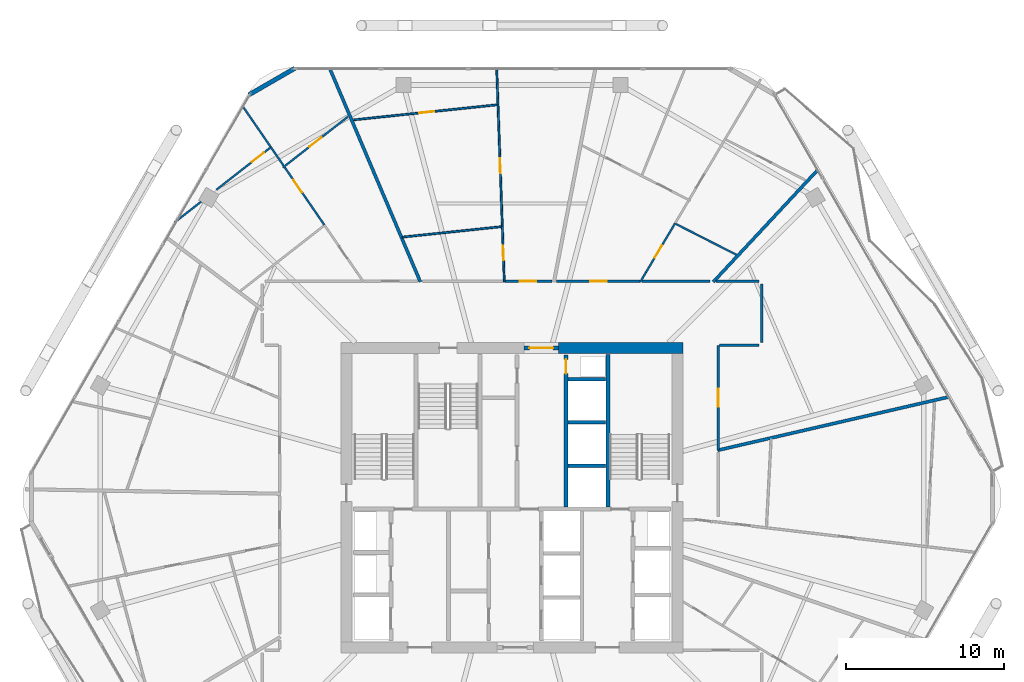
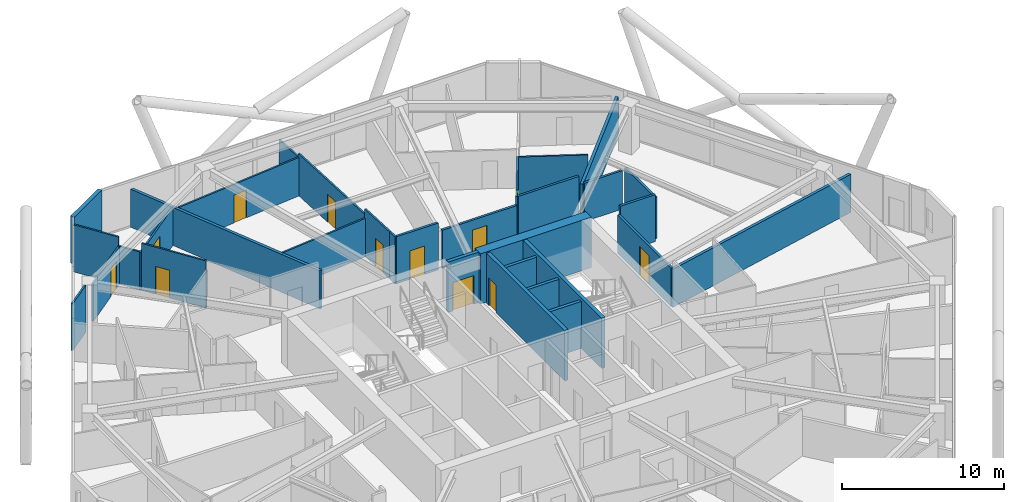
# One storey, part 23 of 27: 33 walls, 12 doors, 12 openings.
"""IFC4 building model written with IfcOpenShell, lengths in metres."""

from ifc_helpers import new_model, si_unit, direction, frame, frame_2d, origin, place, context, subcontext, project, spatial, rectangle, extrude, material, layer, layer_set, type_object, element, fill, save


model = new_model("IFC4")

# Units and contexts
model_context = context("Model", 3, precision=1e-05, world=origin(), true_north=direction((0.0, 1.0)))
body_context = subcontext(model_context, "Body", "Model", "MODEL_VIEW")
ifc_project = project(units=[si_unit("LENGTHUNIT", "METRE"), si_unit("AREAUNIT", "SQUARE_METRE"), si_unit("VOLUMEUNIT", "CUBIC_METRE"), si_unit("PLANEANGLEUNIT", "RADIAN"), si_unit("MASSUNIT", "GRAM", prefix="KILO")], contexts=[model_context])

# Site, building, storey
site_placement = place(None, origin())
site = spatial("IfcSite", under=ifc_project, at=site_placement, CompositionType="ELEMENT")
building_placement = place(site_placement, origin())
building = spatial("IfcBuilding", under=site, at=building_placement, Name="Zuhravey Tower", CompositionType="ELEMENT")
storey_placement = place(building_placement, frame((0.0, 0.0, 215.0)))
storey = spatial("IfcBuildingStorey", under=building, at=storey_placement, Name="L54", CompositionType="ELEMENT", Elevation=215.0)

# Wall
ifc_material_1 = material(Name="Concrete C60/75", Category="concrete")
ifc_layer_1 = layer(ifc_material_1, 0.699951171875)
ifc_layer_set_1 = layer_set([ifc_layer_1], Name="Concrete C60/75")
wall_type_1 = type_object("IfcWallType", Name="Core Shear Wall 700", PredefinedType="SHEAR", material=ifc_layer_set_1)
wall_1_placement = place(storey_placement, frame((46.85009765625, 41.5, 0.0), z_axis=(0.0, 0.0, 1.0), x_axis=(-1.0, 0.0, 0.0)))
element("IfcWall", 1, at=wall_1_placement, inside=storey, type_object=wall_type_1, Name="L54 North-East Core Shear Wall CW70", PredefinedType="SHEAR", context=body_context, shape_type="SweptSolid", body=[
    extrude(rectangle(XDim=7.900146484375, YDim=0.699951171875, at=frame_2d((3.9501953125, 0.0))), origin(), (0.0, 0.0, 1.0), 3.800048828125),
])

# Wall, opening, door
ifc_material_2 = material(Name="Gypsum fire-rated stud partition")
ifc_layer_2 = layer(ifc_material_2, 0.159912109375)
ifc_layer_set_2 = layer_set([ifc_layer_2], Name="Gypsum fire-rated stud partition")
wall_type_2 = type_object("IfcWallType", Name="Corridor Fire Partition 160", PredefinedType="PARTITIONING", material=ifc_layer_set_2)
wall_2_placement = place(storey_placement, frame((44.135498046875, 45.72998046875, 0.0), z_axis=(0.0, 0.0, 1.0), x_axis=(-1.0, 0.0, 0.0)))
wall_2 = element("IfcWall", 2, at=wall_2_placement, inside=storey, type_object=wall_type_2, Name="L54 IW16 Partition 025", PredefinedType="PARTITIONING", context=body_context, shape_type="SweptSolid", body=[
    extrude(rectangle(XDim=5.32177734375, YDim=0.159912109375, at=frame_2d((2.660888671875, 0.0))), origin(), (0.0, 0.0, 1.0), 2.89990234375),
])
opening_1_placement = place(wall_2_placement, frame((2.135986328125, 0.0, 0.0)))
opening_1 = element("IfcOpeningElement", 3, at=opening_1_placement, cuts=wall_2, Name="Opening APD1", PredefinedType="OPENING", context=body_context, shape_type="SweptSolid", body=[
    extrude(rectangle(XDim=1.050048828125, YDim=2.14990234375, at=frame_2d((0.52490234375, 1.074951171875))), frame((0.0, 0.092041015625, 0.0), z_axis=(0.0, -1.0, 0.0), x_axis=(1.0, 0.0, 0.0)), (0.0, 0.0, 1.0), 0.183837890625),
])
ifc_material_3 = material(Name="Solid-core oak fire-rated leaf")
door_type_1 = type_object("IfcDoorType", Name="Apartment Entrance Fire Door 1050x2150", OperationType="NOTDEFINED", PredefinedType="DOOR", material=ifc_material_3)
door_1_placement = place(opening_1_placement, frame((1.050048828125, 0.0, 0.0), z_axis=(0.0, 0.0, 1.0), x_axis=(-1.0, 0.0, 0.0)))
door_1 = element("IfcDoor", 4, at=door_1_placement, inside=storey, type_object=door_type_1, Name="L54 Door 025.1", OperationType="SINGLE_SWING_RIGHT", OverallHeight=2.14990234375, OverallWidth=1.050048828125, PredefinedType="DOOR", context=body_context, shape_type="SweptSolid", body=[
    extrude(rectangle(XDim=1.050048828125, YDim=2.14990234375, at=frame_2d((0.52490234375, 1.074951171875))), frame((0.0, 0.02490234375, 0.0), z_axis=(0.0, -1.0, 0.0), x_axis=(1.0, 0.0, 0.0)), (0.0, 0.0, 1.0), 0.050048828125),
])
fill(opening_1, door_1)

wall_3_placement = place(storey_placement, frame((38.5244140625, 45.72998046875, 0.0), z_axis=(0.0, 0.0, 1.0), x_axis=(-1.0, 0.0, 0.0)))
wall_3 = element("IfcWall", 5, at=wall_3_placement, inside=storey, type_object=wall_type_2, Name="L54 IW16 Partition 029", PredefinedType="PARTITIONING", context=body_context, shape_type="SweptSolid", body=[
    extrude(rectangle(XDim=2.993408203125, YDim=0.159912109375, at=frame_2d((1.49658203125, 0.0))), origin(), (0.0, 0.0, 1.0), 3.550048828125),
])
opening_2_placement = place(wall_3_placement, frame((0.9716796875, 0.0, 0.0)))
opening_2 = element("IfcOpeningElement", 6, at=opening_2_placement, cuts=wall_3, Name="Opening APD1", PredefinedType="OPENING", context=body_context, shape_type="SweptSolid", body=[
    extrude(rectangle(XDim=1.050048828125, YDim=2.14990234375, at=frame_2d((0.52490234375, 1.074951171875))), frame((0.0, 0.092041015625, 0.0), z_axis=(0.0, -1.0, 0.0), x_axis=(1.0, 0.0, 0.0)), (0.0, 0.0, 1.0), 0.183837890625),
])
door_2_placement = place(opening_2_placement, frame((1.050048828125, 0.0, 0.0), z_axis=(0.0, 0.0, 1.0), x_axis=(-1.0, 0.0, 0.0)))
door_2 = element("IfcDoor", 7, at=door_2_placement, inside=storey, type_object=door_type_1, Name="L54 Door 029.1", OperationType="SINGLE_SWING_RIGHT", OverallHeight=2.14990234375, OverallWidth=1.050048828125, PredefinedType="DOOR", context=body_context, shape_type="SweptSolid", body=[
    extrude(rectangle(XDim=1.050048828125, YDim=2.14990234375, at=frame_2d((0.52490234375, 1.074951171875))), frame((0.0, 0.02490234375, 0.0), z_axis=(0.0, -1.0, 0.0), x_axis=(1.0, 0.0, 0.0)), (0.0, 0.0, 1.0), 0.050048828125),
])
fill(opening_2, door_2)

wall_4_placement = place(storey_placement, frame((49.080078125, 35.040283203125, 0.0), z_axis=(0.0, 0.0, 1.0), x_axis=(0.0, 1.0, 0.0)))
wall_4 = element("IfcWall", 8, at=wall_4_placement, inside=storey, type_object=wall_type_2, Name="L54 IW16 Partition 069", PredefinedType="PARTITIONING", context=body_context, shape_type="SweptSolid", body=[
    extrude(rectangle(XDim=6.629638671875, YDim=0.159912109375, at=frame_2d((3.31494140625, 0.0))), origin(), (0.0, 0.0, 1.0), 2.89990234375),
])
opening_3_placement = place(wall_4_placement, frame((2.73974609375, 0.0, 0.0)))
opening_3 = element("IfcOpeningElement", 9, at=opening_3_placement, cuts=wall_4, Name="Opening CLD1", PredefinedType="OPENING", context=body_context, shape_type="SweptSolid", body=[
    extrude(rectangle(XDim=1.14990234375, YDim=2.199951171875, at=frame_2d((0.574951171875, 1.10009765625))), frame((0.0, 0.092041015625, 0.0), z_axis=(0.0, -1.0, 0.0), x_axis=(1.0, 0.0, 0.0)), (0.0, 0.0, 1.0), 0.183837890625),
])
ifc_material_4 = material(Name="Acoustic timber leaf with vision lite", Category="wood")
door_type_2 = type_object("IfcDoorType", Name="Classroom Acoustic Door 1150x2200", OperationType="NOTDEFINED", PredefinedType="DOOR", material=ifc_material_4)
door_3_placement = place(opening_3_placement, frame((1.14990234375, 0.0, 0.0), z_axis=(0.0, 0.0, 1.0), x_axis=(-1.0, 0.0, 0.0)))
door_3 = element("IfcDoor", 10, at=door_3_placement, inside=storey, type_object=door_type_2, Name="L54 Door 069.1", OperationType="SINGLE_SWING_RIGHT", OverallHeight=2.199951171875, OverallWidth=1.14990234375, PredefinedType="DOOR", context=body_context, shape_type="SweptSolid", body=[
    extrude(rectangle(XDim=1.14990234375, YDim=2.199951171875, at=frame_2d((0.574951171875, 1.10009765625))), frame((0.0, 0.02490234375, 0.0), z_axis=(0.0, -1.0, 0.0), x_axis=(1.0, 0.0, 0.0)), (0.0, 0.0, 1.0), 0.050048828125),
])
fill(opening_3, door_3)

# Walls
wall_5_placement = place(storey_placement, frame((48.55419921875, 45.72998046875, 0.0), z_axis=(0.0, 0.0, 1.0), x_axis=(-1.0, 0.0, 0.0)))
element("IfcWall", 11, at=wall_5_placement, inside=storey, type_object=wall_type_2, Name="L54 IW16 Partition 122", PredefinedType="PARTITIONING", context=body_context, shape_type="SweptSolid", body=[
    extrude(rectangle(XDim=4.31640625, YDim=0.159912109375, at=frame_2d((2.158203125, 0.0))), origin(), (0.0, 0.0, 1.0), 3.550048828125),
])
wall_6_placement = place(storey_placement, frame((51.830078125, 41.85009765625, 0.0), z_axis=(0.0, 0.0, 1.0), x_axis=(0.0, 1.0, 0.0)))
element("IfcWall", 12, at=wall_6_placement, inside=storey, type_object=wall_type_2, Name="L54 IW16 Partition 140", PredefinedType="PARTITIONING", context=body_context, shape_type="SweptSolid", body=[
    extrude(rectangle(XDim=3.699951171875, YDim=0.159912109375, at=frame_2d((1.85009765625, 0.0))), origin(), (0.0, 0.0, 1.0), 3.14990234375),
])
wall_7_placement = place(storey_placement, frame((51.64990234375, 45.72998046875, 0.0), z_axis=(0.0, 0.0, 1.0), x_axis=(-1.0, 0.0, 0.0)))
element("IfcWall", 13, at=wall_7_placement, inside=storey, type_object=wall_type_2, Name="L54 IW16 Partition 141", PredefinedType="PARTITIONING", context=body_context, shape_type="SweptSolid", body=[
    extrude(rectangle(XDim=2.69873046875, YDim=0.159912109375, at=frame_2d((1.349365234375, 0.0))), origin(), (0.0, 0.0, 1.0), 2.89990234375),
])
wall_8_placement = place(storey_placement, frame((49.16796875, 41.669921875, 0.0), z_axis=(0.0, 0.0, 1.0), x_axis=(1.0, 0.0, 0.0)))
element("IfcWall", 14, at=wall_8_placement, inside=storey, type_object=wall_type_2, Name="L54 IW16 Partition 142", PredefinedType="PARTITIONING", context=body_context, shape_type="SweptSolid", body=[
    extrude(rectangle(XDim=2.48193359375, YDim=0.159912109375, at=frame_2d((1.240966796875, 0.0))), origin(), (0.0, 0.0, 1.0), 3.550048828125),
])
ifc_material_5 = material(Name="Precast concrete C40/50", Category="concrete")
ifc_layer_3 = layer(ifc_material_5, 0.280029296875)
ifc_layer_set_3 = layer_set([ifc_layer_3], Name="Precast concrete C40/50")
wall_type_3 = type_object("IfcWallType", Name="Crown Architectural Wall 280", PredefinedType="SOLIDWALL", material=ifc_layer_set_3)
wall_9_placement = place(storey_placement, frame((19.306884765625, 57.548095703125, 0.0), z_axis=(0.0, 0.0, 1.0), x_axis=(0.866020068361, 0.500009241111, 0.0)))
element("IfcWall", 15, at=wall_9_placement, inside=storey, type_object=wall_type_3, Name="L54 Rounded Corner Closure Wall EW28-08", PredefinedType="SOLIDWALL", context=body_context, shape_type="SweptSolid", body=[
    extrude(rectangle(XDim=3.365234375, YDim=0.280029296875, at=frame_2d((1.6826171875, 0.0))), origin(), (0.0, 0.0, 1.0), 3.550048828125),
])

# Wall, opening, door
ifc_material_6 = material(Name="Concrete C50/60", Category="concrete")
ifc_layer_4 = layer(ifc_material_6, 0.25)
ifc_layer_set_4 = layer_set([ifc_layer_4], Name="Concrete C50/60")
wall_type_4 = type_object("IfcWallType", Name="Firefighting Shaft & Stair Wall 250", PredefinedType="SOLIDWALL", material=ifc_layer_set_4)
wall_10_placement = place(storey_placement, frame((36.760009765625, 41.5, 0.0), z_axis=(0.0, 0.0, 1.0), x_axis=(1.0, 0.0, 0.0)))
wall_10 = element("IfcWall", 16, at=wall_10_placement, inside=storey, type_object=wall_type_4, Name="L54 FW25 Shaft Wall 002", PredefinedType="SOLIDWALL", context=body_context, shape_type="SweptSolid", body=[
    extrude(rectangle(XDim=2.179931640625, YDim=0.25, at=frame_2d((1.08984375, 0.0))), origin(), (0.0, 0.0, 1.0), 3.800048828125),
])
opening_4_placement = place(wall_10_placement, frame((0.340087890625, 0.0, 0.0)))
opening_4 = element("IfcOpeningElement", 17, at=opening_4_placement, cuts=wall_10, Name="Opening FFD1", PredefinedType="OPENING", context=body_context, shape_type="SweptSolid", body=[
    extrude(rectangle(XDim=1.5, YDim=2.14990234375, at=frame_2d((0.75, 1.074951171875))), frame((0.0, 0.136962890625, 0.0), z_axis=(0.0, -1.0, 0.0), x_axis=(1.0, 0.0, 0.0)), (0.0, 0.0, 1.0), 0.27392578125),
])
ifc_material_7 = material(Name="Galvanised fire-rated steel leaf", Category="steel")
door_type_3 = type_object("IfcDoorType", Name="Firefighting Lobby Double Door 1500x2150", OperationType="DOUBLE_DOOR_SINGLE_SWING", PredefinedType="DOOR", material=ifc_material_7)
door_4_placement = place(opening_4_placement, origin())
door_4 = element("IfcDoor", 18, at=door_4_placement, inside=storey, type_object=door_type_3, Name="L54 North Lift Lobby Exit Door", OperationType="DOUBLE_DOOR_SINGLE_SWING", OverallHeight=2.14990234375, OverallWidth=1.5, PredefinedType="DOOR", context=body_context, shape_type="SweptSolid", body=[
    extrude(rectangle(XDim=1.5, YDim=2.14990234375, at=frame_2d((0.75, 1.074951171875))), frame((0.0, 0.02490234375, 0.0), z_axis=(0.0, -1.0, 0.0), x_axis=(1.0, 0.0, 0.0)), (0.0, 0.0, 1.0), 0.050048828125),
])
fill(opening_4, door_4)

# Wall
wall_11_placement = place(storey_placement, frame((42.074951171875, 31.39990234375, 0.0), z_axis=(0.0, 0.0, 1.0), x_axis=(0.0, 1.0, 0.0)))
element("IfcWall", 19, at=wall_11_placement, inside=storey, type_object=wall_type_4, Name="L54 FW25 Shaft Wall 006", PredefinedType="SOLIDWALL", context=body_context, shape_type="SweptSolid", body=[
    extrude(rectangle(XDim=9.7001953125, YDim=0.25, at=frame_2d((4.85009765625, 0.0))), origin(), (0.0, 0.0, 1.0), 3.800048828125),
])

# Wall, opening, door
wall_12_placement = place(storey_placement, frame((39.425048828125, 31.39990234375, 0.0), z_axis=(0.0, 0.0, 1.0), x_axis=(0.0, 1.0, 0.0)))
wall_12 = element("IfcWall", 20, at=wall_12_placement, inside=storey, type_object=wall_type_4, Name="L54 FW25 Shaft Wall 008", PredefinedType="SOLIDWALL", context=body_context, shape_type="SweptSolid", body=[
    extrude(rectangle(XDim=9.650146484375, YDim=0.25, at=frame_2d((4.8251953125, 0.0))), origin(), (0.0, 0.0, 1.0), 3.800048828125),
])
opening_5_placement = place(wall_12_placement, frame((8.469970703125, 0.0, 0.0)))
opening_5 = element("IfcOpeningElement", 21, at=opening_5_placement, cuts=wall_12, Name="Opening RSD1", PredefinedType="OPENING", context=body_context, shape_type="SweptSolid", body=[
    extrude(rectangle(XDim=0.89990234375, YDim=2.10009765625, at=frame_2d((0.449951171875, 1.050048828125))), frame((0.0, 0.136962890625, 0.0), z_axis=(0.0, -1.0, 0.0), x_axis=(1.0, 0.0, 0.0)), (0.0, 0.0, 1.0), 0.27392578125),
])
ifc_material_8 = material(Name="Galvanised fire-rated steel access leaf", Category="steel")
door_type_4 = type_object("IfcDoorType", Name="Riser & Shaft Access Fire Door 900x2100", OperationType="NOTDEFINED", PredefinedType="DOOR", material=ifc_material_8)
door_5_placement = place(opening_5_placement, origin())
door_5 = element("IfcDoor", 22, at=door_5_placement, inside=storey, type_object=door_type_4, Name="L54 North Riser Door", OperationType="SINGLE_SWING_LEFT", OverallHeight=2.10009765625, OverallWidth=0.89990234375, PredefinedType="DOOR", context=body_context, shape_type="SweptSolid", body=[
    extrude(rectangle(XDim=0.89990234375, YDim=2.10009765625, at=frame_2d((0.449951171875, 1.050048828125))), frame((0.0, 0.02490234375, 0.0), z_axis=(0.0, -1.0, 0.0), x_axis=(1.0, 0.0, 0.0)), (0.0, 0.0, 1.0), 0.050048828125),
])
fill(opening_5, door_5)

# Walls
ifc_material_9 = material(Name="Gypsum double-stud party assembly")
ifc_layer_5 = layer(ifc_material_9, 0.199951171875)
ifc_layer_set_5 = layer_set([ifc_layer_5], Name="Gypsum double-stud party assembly")
wall_type_5 = type_object("IfcWallType", Name="Inter-Tenancy Party Wall 200", PredefinedType="PARTITIONING", material=ifc_layer_set_5)
wall_13_placement = place(storey_placement, frame((48.76611328125, 45.68994140625, 0.0), z_axis=(0.0, 0.0, 1.0), x_axis=(0.682001842328, 0.731350454338, 0.0)))
element("IfcWall", 23, at=wall_13_placement, inside=storey, type_object=wall_type_5, Name="L54 IW20 Partition 076", PredefinedType="PARTITIONING", context=body_context, shape_type="SweptSolid", body=[
    extrude(rectangle(XDim=9.70654296875, YDim=0.199951171875, at=frame_2d((4.853271484375, 0.0))), origin(), (0.0, 0.0, 1.0), 2.8701171875),
])
wall_14_placement = place(storey_placement, frame((30.18896484375, 45.68994140625, 0.0), z_axis=(0.0, 0.0, 1.0), x_axis=(-0.390732904656, 0.920504099512, 0.0)))
element("IfcWall", 24, at=wall_14_placement, inside=storey, type_object=wall_type_5, Name="L54 IW20 Partition 085", PredefinedType="PARTITIONING", context=body_context, shape_type="SweptSolid", body=[
    extrude(rectangle(XDim=14.658447265625, YDim=0.199951171875, at=frame_2d((7.3291015625, 0.0))), origin(), (0.0, 0.0, 1.0), 2.8701171875),
])
wall_15_placement = place(storey_placement, frame((49.0400390625, 35.010498046875, 0.0), z_axis=(0.0, 0.0, 1.0), x_axis=(0.974369033518, 0.224955521206, 0.0)))
element("IfcWall", 25, at=wall_15_placement, inside=storey, type_object=wall_type_5, Name="L54 IW20 Partition 121", PredefinedType="PARTITIONING", context=body_context, shape_type="SweptSolid", body=[
    extrude(rectangle(XDim=15.0419921875, YDim=0.199951171875, at=frame_2d((7.52099609375, 0.0))), origin(), (0.0, 0.0, 1.0), 2.8701171875),
])
ifc_material_10 = material(Name="Gypsum acoustic stud assembly")
ifc_layer_6 = layer(ifc_material_10, 0.219970703125)
ifc_layer_set_6 = layer_set([ifc_layer_6], Name="Gypsum acoustic stud assembly")
wall_type_6 = type_object("IfcWallType", Name="School Acoustic Compartment Wall 220", PredefinedType="PARTITIONING", material=ifc_layer_set_6)
for number, where, z_axis, x_axis, name in (
    (26, (39.55810546875, 34.02490234375, 0.0), (0.0, 0.0, 1.0), (1.0, 0.0, 0.0), "L54 IW22 Partition 071"),
    (27, (39.55810546875, 36.77490234375, 0.0), (0.0, 0.0, 1.0), (1.0, 0.0, 0.0), "L54 IW22 Partition 072"),
    (28, (39.55810546875, 39.52490234375, 0.0), (0.0, 0.0, 1.0), (1.0, 0.0, 0.0), "L54 IW22 Partition 073"),
):
    element("IfcWall", number, at=place(storey_placement, frame(where, z_axis=z_axis, x_axis=x_axis)), inside=storey, type_object=wall_type_6, Name=name, PredefinedType="PARTITIONING", context=body_context, shape_type="SweptSolid", body=[
        extrude(rectangle(XDim=2.3837890625, YDim=0.219970703125, at=frame_2d((1.19189453125, 0.0))), origin(), (0.0, 0.0, 1.0), 3.550048828125),
    ])

# Wall, opening, door
ifc_material_11 = material(Name="Gypsum metal-stud partition")
ifc_layer_7 = layer(ifc_material_11, 0.1201171875)
ifc_layer_set_7 = layer_set([ifc_layer_7], Name="Gypsum metal-stud partition")
wall_type_7 = type_object("IfcWallType", Name="Unit Internal Partition 120", PredefinedType="PARTITIONING", material=ifc_layer_set_7)
wall_16_placement = place(storey_placement, frame((44.49755859375, 46.300048828125, 0.0), z_axis=(0.0, 0.0, 1.0), x_axis=(0.510815768273, 0.859690206344, 0.0)))
wall_16 = element("IfcWall", 29, at=wall_16_placement, inside=storey, type_object=wall_type_7, Name="L54 IW12 Partition 021", PredefinedType="PARTITIONING", context=body_context, shape_type="SweptSolid", body=[
    extrude(rectangle(XDim=3.624267578125, YDim=0.1201171875, at=frame_2d((1.81201171875, 0.0))), origin(), (0.0, 0.0, 1.0), 3.550048828125),
])
opening_6_placement = place(wall_16_placement, frame((1.072265625, 0.0, 0.0)))
opening_6 = element("IfcOpeningElement", 30, at=opening_6_placement, cuts=wall_16, Name="Opening WCD1", PredefinedType="OPENING", context=body_context, shape_type="SweptSolid", body=[
    extrude(rectangle(XDim=0.89990234375, YDim=2.10009765625, at=frame_2d((0.449951171875, 1.050048828125))), frame((0.0, 0.072021484375, 0.0), z_axis=(0.0, -1.0, 0.0), x_axis=(1.0, 0.0, 0.0)), (0.0, 0.0, 1.0), 0.14404296875),
])
ifc_material_12 = material(Name="Moisture-resistant timber leaf", Category="wood")
door_type_5 = type_object("IfcDoorType", Name="Bathroom & WC Internal Door 900x2100", OperationType="NOTDEFINED", PredefinedType="DOOR", material=ifc_material_12)
door_6_placement = place(opening_6_placement, frame((0.89990234375, 0.0, 0.0), z_axis=(0.0, 0.0, 1.0), x_axis=(-1.0, 0.0, 0.0)))
door_6 = element("IfcDoor", 31, at=door_6_placement, inside=storey, type_object=door_type_5, Name="Apartment L54-01 Bathroom Door", OperationType="SINGLE_SWING_LEFT", OverallHeight=2.10009765625, OverallWidth=0.89990234375, PredefinedType="DOOR", context=body_context, shape_type="SweptSolid", body=[
    extrude(rectangle(XDim=0.89990234375, YDim=2.10009765625, at=frame_2d((0.449951171875, 1.050048828125))), frame((0.0, 0.02490234375, 0.0), z_axis=(0.0, -1.0, 0.0), x_axis=(1.0, 0.0, 0.0)), (0.0, 0.0, 1.0), 0.050048828125),
])
fill(opening_6, door_6)

wall_17_placement = place(storey_placement, frame((35.490478515625, 46.300048828125, 0.0), z_axis=(0.0, 0.0, 1.0), x_axis=(-0.035486032523, 0.999370172406, 0.0)))
wall_17 = element("IfcWall", 32, at=wall_17_placement, inside=storey, type_object=wall_type_7, Name="L54 IW12 Partition 026", PredefinedType="PARTITIONING", context=body_context, shape_type="SweptSolid", body=[
    extrude(rectangle(XDim=2.924072265625, YDim=0.1201171875, at=frame_2d((1.4619140625, 0.0))), origin(), (0.0, 0.0, 1.0), 3.550048828125),
])
opening_7_placement = place(wall_17_placement, frame((0.778076171875, 0.0, 0.0)))
opening_7 = element("IfcOpeningElement", 33, at=opening_7_placement, cuts=wall_17, Name="Opening WCD1", PredefinedType="OPENING", context=body_context, shape_type="SweptSolid", body=[
    extrude(rectangle(XDim=0.89990234375, YDim=2.10009765625, at=frame_2d((0.449951171875, 1.050048828125))), frame((0.0, 0.072021484375, 0.0), z_axis=(0.0, -1.0, 0.0), x_axis=(1.0, 0.0, 0.0)), (0.0, 0.0, 1.0), 0.14404296875),
])
door_7_placement = place(opening_7_placement, origin())
door_7 = element("IfcDoor", 34, at=door_7_placement, inside=storey, type_object=door_type_5, Name="Apartment L54-02 Bathroom Door", OperationType="SINGLE_SWING_LEFT", OverallHeight=2.10009765625, OverallWidth=0.89990234375, PredefinedType="DOOR", context=body_context, shape_type="SweptSolid", body=[
    extrude(rectangle(XDim=0.89990234375, YDim=2.10009765625, at=frame_2d((0.449951171875, 1.050048828125))), frame((0.0, 0.02490234375, 0.0), z_axis=(0.0, -1.0, 0.0), x_axis=(1.0, 0.0, 0.0)), (0.0, 0.0, 1.0), 0.050048828125),
])
fill(opening_7, door_7)

wall_18_placement = place(storey_placement, frame((35.386474609375, 49.22216796875, 0.0), z_axis=(0.0, 0.0, 1.0), x_axis=(-0.035603715275, 0.999365986743, 0.0)))
wall_18 = element("IfcWall", 35, at=wall_18_placement, inside=storey, type_object=wall_type_7, Name="L54 IW12 Partition 027", PredefinedType="PARTITIONING", context=body_context, shape_type="SweptSolid", body=[
    extrude(rectangle(XDim=7.73486328125, YDim=0.1201171875, at=frame_2d((3.867431640625, 0.0))), origin(), (0.0, 0.0, 1.0), 3.14990234375),
])
opening_8_placement = place(wall_18_placement, frame((3.367431640625, 0.0, 0.0)))
opening_8 = element("IfcOpeningElement", 36, at=opening_8_placement, cuts=wall_18, Name="Opening IND1", PredefinedType="OPENING", context=body_context, shape_type="SweptSolid", body=[
    extrude(rectangle(XDim=0.949951171875, YDim=2.10009765625, at=frame_2d((0.47509765625, 1.050048828125))), frame((0.0, 0.072021484375, 0.0), z_axis=(0.0, -1.0, 0.0), x_axis=(1.0, 0.0, 0.0)), (0.0, 0.0, 1.0), 0.14404296875),
])
ifc_material_13 = material(Name="Painted engineered timber leaf", Category="wood")
door_type_6 = type_object("IfcDoorType", Name="Internal Room & Bedroom Door 950x2100", OperationType="NOTDEFINED", PredefinedType="DOOR", material=ifc_material_13)
door_8_placement = place(opening_8_placement, origin())
door_8 = element("IfcDoor", 37, at=door_8_placement, inside=storey, type_object=door_type_6, Name="Apartment L54-02 Home Office Door", OperationType="SINGLE_SWING_RIGHT", OverallHeight=2.10009765625, OverallWidth=0.949951171875, PredefinedType="DOOR", context=body_context, shape_type="SweptSolid", body=[
    extrude(rectangle(XDim=0.949951171875, YDim=2.10009765625, at=frame_2d((0.47509765625, 1.050048828125))), frame((0.0, 0.02490234375, 0.0), z_axis=(0.0, -1.0, 0.0), x_axis=(1.0, 0.0, 0.0)), (0.0, 0.0, 1.0), 0.050048828125),
])
fill(opening_8, door_8)

wall_19_placement = place(storey_placement, frame((35.044189453125, 56.919921875, 0.0), z_axis=(0.0, 0.0, 1.0), x_axis=(-0.994523900714, -0.104509381914, 0.0)))
wall_19 = element("IfcWall", 38, at=wall_19_placement, inside=storey, type_object=wall_type_7, Name="L54 IW12 Partition 028", PredefinedType="PARTITIONING", context=body_context, shape_type="SweptSolid", body=[
    extrude(rectangle(XDim=9.12939453125, YDim=0.1201171875, at=frame_2d((4.564697265625, 0.0))), origin(), (0.0, 0.0, 1.0), 2.89990234375),
])
opening_9_placement = place(wall_19_placement, frame((4.005615234375, 0.0, 0.0)))
opening_9 = element("IfcOpeningElement", 39, at=opening_9_placement, cuts=wall_19, Name="Opening IND1", PredefinedType="OPENING", context=body_context, shape_type="SweptSolid", body=[
    extrude(rectangle(XDim=0.949951171875, YDim=2.10009765625, at=frame_2d((0.47509765625, 1.050048828125))), frame((0.0, 0.072021484375, 0.0), z_axis=(0.0, -1.0, 0.0), x_axis=(1.0, 0.0, 0.0)), (0.0, 0.0, 1.0), 0.14404296875),
])
door_9_placement = place(opening_9_placement, frame((0.949951171875, 0.0, 0.0), z_axis=(0.0, 0.0, 1.0), x_axis=(-1.0, 0.0, 0.0)))
door_9 = element("IfcDoor", 40, at=door_9_placement, inside=storey, type_object=door_type_6, Name="Apartment L54-02 Bedroom 1 Door", OperationType="SINGLE_SWING_LEFT", OverallHeight=2.10009765625, OverallWidth=0.949951171875, PredefinedType="DOOR", context=body_context, shape_type="SweptSolid", body=[
    extrude(rectangle(XDim=0.949951171875, YDim=2.10009765625, at=frame_2d((0.47509765625, 1.050048828125))), frame((0.0, 0.02490234375, 0.0), z_axis=(0.0, -1.0, 0.0), x_axis=(1.0, 0.0, 0.0)), (0.0, 0.0, 1.0), 0.050048828125),
])
fill(opening_9, door_9)

wall_20_placement = place(storey_placement, frame((25.60009765625, 56.168701171875, 0.0), z_axis=(0.0, 0.0, 1.0), x_axis=(-0.788007411646, -0.615665752816, 0.0)))
wall_20 = element("IfcWall", 41, at=wall_20_placement, inside=storey, type_object=wall_type_7, Name="L54 IW12 Partition 030", PredefinedType="PARTITIONING", context=body_context, shape_type="SweptSolid", body=[
    extrude(rectangle(XDim=5.2373046875, YDim=0.1201171875, at=frame_2d((2.61865234375, 0.0))), origin(), (0.0, 0.0, 1.0), 2.8701171875),
])
opening_10_placement = place(wall_20_placement, frame((2.1435546875, 0.0, 0.0)))
opening_10 = element("IfcOpeningElement", 42, at=opening_10_placement, cuts=wall_20, Name="Opening IND1", PredefinedType="OPENING", context=body_context, shape_type="SweptSolid", body=[
    extrude(rectangle(XDim=0.949951171875, YDim=2.10009765625, at=frame_2d((0.47509765625, 1.050048828125))), frame((0.0, 0.072021484375, 0.0), z_axis=(0.0, -1.0, 0.0), x_axis=(1.0, 0.0, 0.0)), (0.0, 0.0, 1.0), 0.14404296875),
])
door_10_placement = place(opening_10_placement, frame((0.949951171875, 0.0, 0.0), z_axis=(0.0, 0.0, 1.0), x_axis=(-1.0, 0.0, 0.0)))
door_10 = element("IfcDoor", 43, at=door_10_placement, inside=storey, type_object=door_type_6, Name="Apartment L54-03 Family Study Door", OperationType="SINGLE_SWING_LEFT", OverallHeight=2.10009765625, OverallWidth=0.949951171875, PredefinedType="DOOR", context=body_context, shape_type="SweptSolid", body=[
    extrude(rectangle(XDim=0.949951171875, YDim=2.10009765625, at=frame_2d((0.47509765625, 1.050048828125))), frame((0.0, 0.02490234375, 0.0), z_axis=(0.0, -1.0, 0.0), x_axis=(1.0, 0.0, 0.0)), (0.0, 0.0, 1.0), 0.050048828125),
])
fill(opening_10, door_10)

wall_21_placement = place(storey_placement, frame((24.0986328125, 49.303466796875, 0.0), z_axis=(0.0, 0.0, 1.0), x_axis=(-0.566659925213, 0.823951775991, 0.0)))
wall_21 = element("IfcWall", 44, at=wall_21_placement, inside=storey, type_object=wall_type_7, Name="L54 IW12 Partition 032", PredefinedType="PARTITIONING", context=body_context, shape_type="SweptSolid", body=[
    extrude(rectangle(XDim=4.425537109375, YDim=0.1201171875, at=frame_2d((2.212890625, 0.0))), origin(), (0.0, 0.0, 1.0), 3.550048828125),
])
opening_11_placement = place(wall_21_placement, frame((2.50390625, 0.0, 0.0)))
opening_11 = element("IfcOpeningElement", 45, at=opening_11_placement, cuts=wall_21, Name="Opening IND1", PredefinedType="OPENING", context=body_context, shape_type="SweptSolid", body=[
    extrude(rectangle(XDim=0.949951171875, YDim=2.10009765625, at=frame_2d((0.47509765625, 1.050048828125))), frame((0.0, 0.072021484375, 0.0), z_axis=(0.0, -1.0, 0.0), x_axis=(1.0, 0.0, 0.0)), (0.0, 0.0, 1.0), 0.14404296875),
])
door_11_placement = place(opening_11_placement, origin())
door_11 = element("IfcDoor", 46, at=door_11_placement, inside=storey, type_object=door_type_6, Name="Apartment L54-03 Home Office Door", OperationType="SINGLE_SWING_LEFT", OverallHeight=2.10009765625, OverallWidth=0.949951171875, PredefinedType="DOOR", context=body_context, shape_type="SweptSolid", body=[
    extrude(rectangle(XDim=0.949951171875, YDim=2.10009765625, at=frame_2d((0.47509765625, 1.050048828125))), frame((0.0, 0.02490234375, 0.0), z_axis=(0.0, -1.0, 0.0), x_axis=(1.0, 0.0, 0.0)), (0.0, 0.0, 1.0), 0.050048828125),
])
fill(opening_11, door_11)

# Wall
wall_22_placement = place(storey_placement, frame((21.513427734375, 53.062255859375, 0.0), z_axis=(0.0, 0.0, 1.0), x_axis=(-0.566722311628, 0.823908867232, 0.0)))
element("IfcWall", 47, at=wall_22_placement, inside=storey, type_object=wall_type_7, Name="L54 IW12 Partition 033", PredefinedType="PARTITIONING", context=body_context, shape_type="SweptSolid", body=[
    extrude(rectangle(XDim=1.44580078125, YDim=0.1201171875, at=frame_2d((0.722900390625, 0.0))), origin(), (0.0, 0.0, 1.0), 2.8701171875),
])

# Wall, opening, door
wall_23_placement = place(storey_placement, frame((20.654541015625, 54.19091796875, 0.0), z_axis=(0.0, 0.0, 1.0), x_axis=(-0.788021793937, -0.615647344086, 0.0)))
wall_23 = element("IfcWall", 48, at=wall_23_placement, inside=storey, type_object=wall_type_7, Name="L54 IW12 Partition 034", PredefinedType="PARTITIONING", context=body_context, shape_type="SweptSolid", body=[
    extrude(rectangle(XDim=4.30419921875, YDim=0.1201171875, at=frame_2d((2.152099609375, 0.0))), origin(), (0.0, 0.0, 1.0), 2.8701171875),
])
opening_12_placement = place(wall_23_placement, frame((0.492919921875, 0.0, 0.0)))
opening_12 = element("IfcOpeningElement", 49, at=opening_12_placement, cuts=wall_23, Name="Opening IND1", PredefinedType="OPENING", context=body_context, shape_type="SweptSolid", body=[
    extrude(rectangle(XDim=0.949951171875, YDim=2.10009765625, at=frame_2d((0.47509765625, 1.050048828125))), frame((0.0, 0.072021484375, 0.0), z_axis=(0.0, -1.0, 0.0), x_axis=(1.0, 0.0, 0.0)), (0.0, 0.0, 1.0), 0.14404296875),
])
door_12_placement = place(opening_12_placement, frame((0.949951171875, 0.0, 0.0), z_axis=(0.0, 0.0, 1.0), x_axis=(-1.0, 0.0, 0.0)))
door_12 = element("IfcDoor", 50, at=door_12_placement, inside=storey, type_object=door_type_6, Name="Apartment L54-03 Kitchen Door", OperationType="SINGLE_SWING_RIGHT", OverallHeight=2.10009765625, OverallWidth=0.949951171875, PredefinedType="DOOR", context=body_context, shape_type="SweptSolid", body=[
    extrude(rectangle(XDim=0.949951171875, YDim=2.10009765625, at=frame_2d((0.47509765625, 1.050048828125))), frame((0.0, 0.02490234375, 0.0), z_axis=(0.0, -1.0, 0.0), x_axis=(1.0, 0.0, 0.0)), (0.0, 0.0, 1.0), 0.050048828125),
])
fill(opening_12, door_12)

# Walls
wall_24_placement = place(storey_placement, frame((44.135498046875, 45.69091796875, 0.0), z_axis=(0.0, 0.0, 1.0), x_axis=(0.510944675818, 0.859613598225, 0.0)))
element("IfcWall", 51, at=wall_24_placement, inside=storey, type_object=wall_type_7, Name="L54 IW12 Partition 078", PredefinedType="PARTITIONING", context=body_context, shape_type="SweptSolid", body=[
    extrude(rectangle(XDim=0.70849609375, YDim=0.1201171875, at=frame_2d((0.354248046875, 0.0))), origin(), (0.0, 0.0, 1.0), 3.550048828125),
])
wall_25_placement = place(storey_placement, frame((50.22509765625, 47.412841796875, 0.0), z_axis=(0.0, 0.0, 1.0), x_axis=(-0.891026487489, 0.453951317426, 0.0)))
element("IfcWall", 52, at=wall_25_placement, inside=storey, type_object=wall_type_7, Name="L54 IW12 Partition 080", PredefinedType="PARTITIONING", context=body_context, shape_type="SweptSolid", body=[
    extrude(rectangle(XDim=4.296630859375, YDim=0.1201171875, at=frame_2d((2.1484375, 0.0))), origin(), (0.0, 0.0, 1.0), 3.550048828125),
])
wall_26_placement = place(storey_placement, frame((35.512451171875, 45.68505859375, 0.0), z_axis=(0.0, 0.0, 1.0), x_axis=(-0.03570568138, 0.999362348859, 0.0)))
element("IfcWall", 53, at=wall_26_placement, inside=storey, type_object=wall_type_7, Name="L54 IW12 Partition 082", PredefinedType="PARTITIONING", context=body_context, shape_type="SweptSolid", body=[
    extrude(rectangle(XDim=0.615478515625, YDim=0.1201171875, at=frame_2d((0.3076171875, 0.0))), origin(), (0.0, 0.0, 1.0), 3.550048828125),
])
wall_27_placement = place(storey_placement, frame((35.111083984375, 56.9521484375, 0.0), z_axis=(0.0, 0.0, 1.0), x_axis=(-0.035574759537, 0.999367017909, 0.0)))
element("IfcWall", 54, at=wall_27_placement, inside=storey, type_object=wall_type_7, Name="L54 IW12 Partition 083", PredefinedType="PARTITIONING", context=body_context, shape_type="SweptSolid", body=[
    extrude(rectangle(XDim=2.2373046875, YDim=0.1201171875, at=frame_2d((1.11865234375, 0.0))), origin(), (0.0, 0.0, 1.0), 2.8701171875),
])
wall_28_placement = place(storey_placement, frame((35.319580078125, 49.190185546875, 0.0), z_axis=(0.0, 0.0, 1.0), x_axis=(-0.994519437571, -0.104551845005, 0.0)))
element("IfcWall", 55, at=wall_28_placement, inside=storey, type_object=wall_type_7, Name="L54 IW12 Partition 084", PredefinedType="PARTITIONING", context=body_context, shape_type="SweptSolid", body=[
    extrude(rectangle(XDim=6.3095703125, YDim=0.1201171875, at=frame_2d((3.15478515625, 0.0))), origin(), (0.0, 0.0, 1.0), 2.89990234375),
])
wall_29_placement = place(storey_placement, frame((20.694091796875, 54.25341796875, 0.0), z_axis=(0.0, 0.0, 1.0), x_axis=(-0.566668928945, 0.823945583742, 0.0)))
element("IfcWall", 56, at=wall_29_placement, inside=storey, type_object=wall_type_7, Name="L54 IW12 Partition 087", PredefinedType="PARTITIONING", context=body_context, shape_type="SweptSolid", body=[
    extrude(rectangle(XDim=3.10595703125, YDim=0.1201171875, at=frame_2d((1.552978515625, 0.0))), origin(), (0.0, 0.0, 1.0), 3.550048828125),
])
wall_30_placement = place(storey_placement, frame((16.279541015625, 50.772705078125, 0.0), z_axis=(0.0, 0.0, 1.0), x_axis=(-0.787993108164, -0.615684059795, 0.0)))
element("IfcWall", 57, at=wall_30_placement, inside=storey, type_object=wall_type_7, Name="L54 IW12 Partition 089", PredefinedType="PARTITIONING", context=body_context, shape_type="SweptSolid", body=[
    extrude(rectangle(XDim=2.131103515625, YDim=0.1201171875, at=frame_2d((1.0654296875, 0.0))), origin(), (0.0, 0.0, 1.0), 3.550048828125),
])

save(model, "model.ifc")
